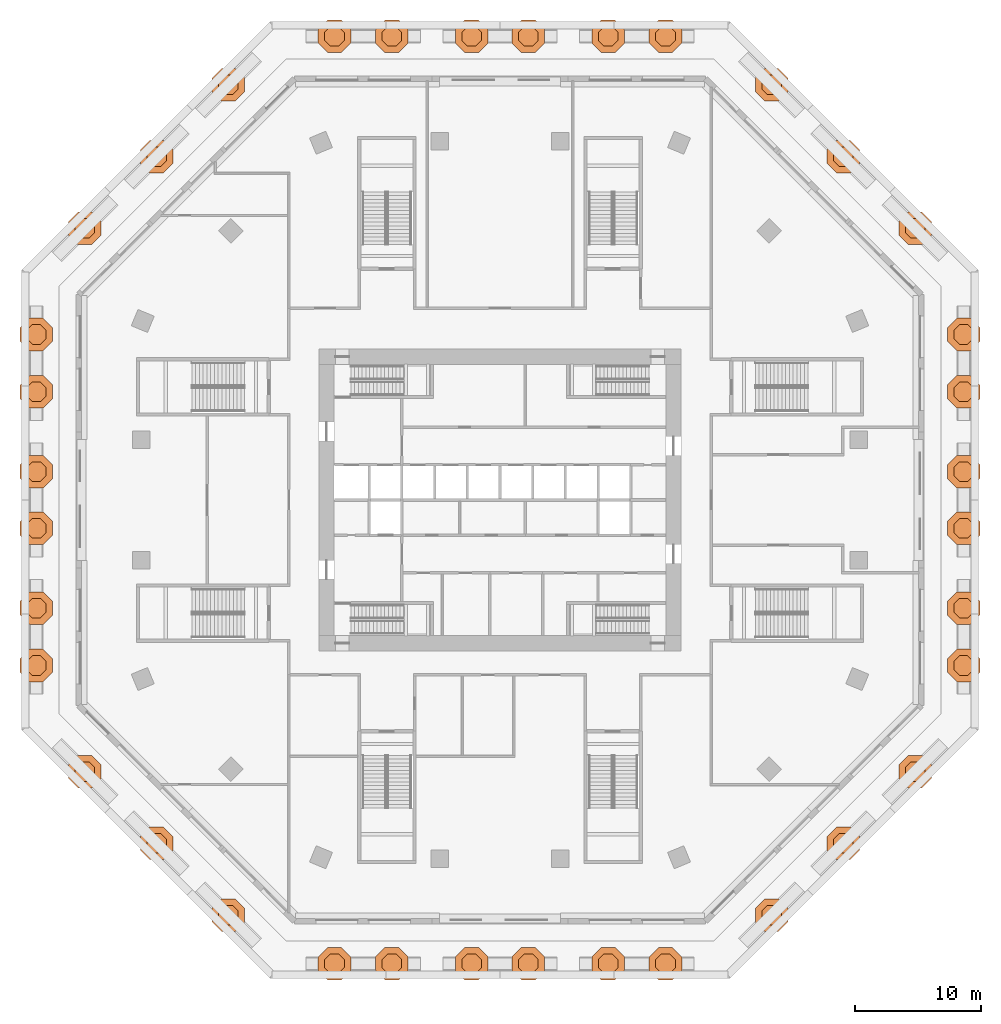
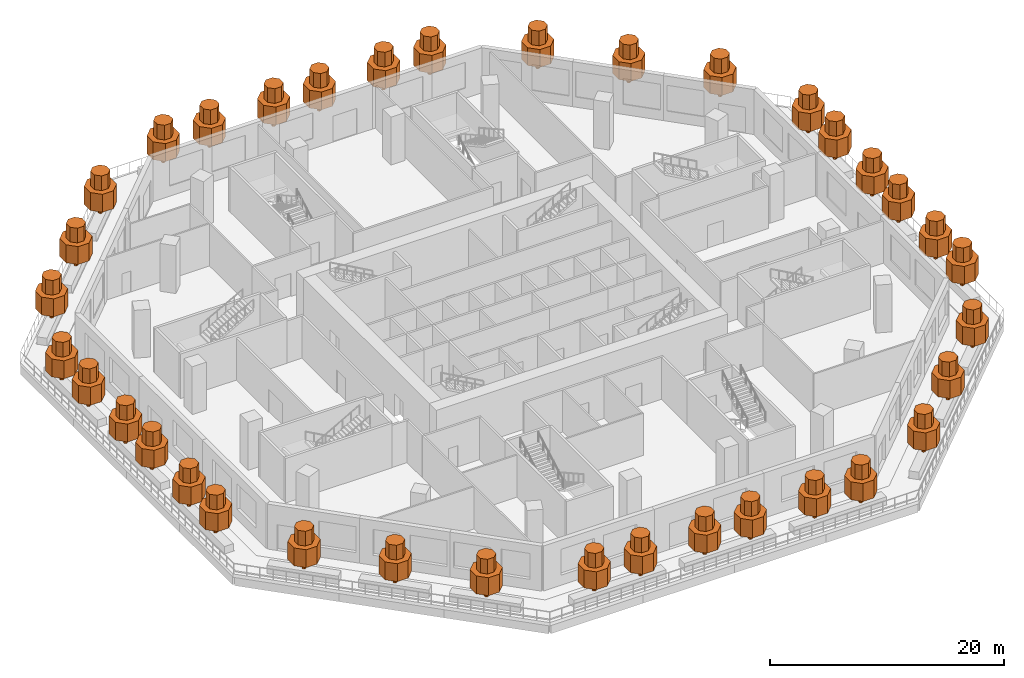
# One storey, part 13 of 13: 36 geographic elements.
"""IFC4 building model written with IfcOpenShell, lengths in metres."""

from ifc_helpers import new_model, si_unit, direction, frame, origin, place, context, subcontext, project, spatial, polyline, outline, extrude, material, type_object, element, save


model = new_model("IFC4")

# Units and contexts
model_context = context("Model", 3, precision=1e-05, world=origin(), true_north=direction((0.0, 1.0)))
body_context = subcontext(model_context, "Body", "Model", "MODEL_VIEW")
ifc_project = project(units=[si_unit("LENGTHUNIT", "METRE"), si_unit("AREAUNIT", "SQUARE_METRE"), si_unit("VOLUMEUNIT", "CUBIC_METRE"), si_unit("PLANEANGLEUNIT", "RADIAN"), si_unit("MASSUNIT", "GRAM", prefix="KILO")], contexts=[model_context])

# Site, building, storey
site_placement = place(None, origin())
site = spatial("IfcSite", under=ifc_project, at=site_placement, CompositionType="ELEMENT")
building_placement = place(site_placement, origin())
building = spatial("IfcBuilding", under=site, at=building_placement, Name="Msitu Wima Residences", CompositionType="ELEMENT")
storey_placement = place(building_placement, frame((0.0, 0.0, 16.0)))
storey = spatial("IfcBuildingStorey", under=building, at=storey_placement, Name="L03", CompositionType="ELEMENT", Elevation=16.0)

# Geographic elements
ifc_material = material(Name="Foliage and planting")
geographic_element_type = type_object("IfcGeographicElementType", Name="Tree TR1", PredefinedType="USERDEFINED", material=ifc_material)
for number, where, z_axis, x_axis, name in (
    (1, (36.89990234375, -13.173095703125, 0.89990234375), (0.0, 0.0, 1.0), (1.0, 0.0, 0.0), "Tree terrace L03-E01"),
    (2, (36.89990234375, -8.605224609375, 0.89990234375), (0.0, 0.0, 1.0), (1.0, 0.0, 0.0), "Tree terrace L03-E02"),
    (3, (36.89990234375, -2.2607421875, 0.89990234375), (0.0, 0.0, 1.0), (1.0, 0.0, 0.0), "Tree terrace L03-E11"),
    (4, (36.89990234375, 2.2607421875, 0.89990234375), (0.0, 0.0, 1.0), (1.0, 0.0, 0.0), "Tree terrace L03-E12"),
    (5, (36.89990234375, 8.605224609375, 0.89990234375), (0.0, 0.0, 1.0), (1.0, 0.0, 0.0), "Tree terrace L03-E21"),
    (6, (36.89990234375, 13.173095703125, 0.89990234375), (0.0, 0.0, 1.0), (1.0, 0.0, 0.0), "Tree terrace L03-E22"),
    (7, (33.039306640625, 21.615966796875, 0.89990234375), (0.0, 0.0, 1.0), (1.0, 0.0, 0.0), "Tree terrace L03-NE01"),
    (8, (27.32763671875, 27.32763671875, 0.89990234375), (0.0, 0.0, 1.0), (1.0, 0.0, 0.0), "Tree terrace L03-NE11"),
    (9, (21.615966796875, 33.039306640625, 0.89990234375), (0.0, 0.0, 1.0), (1.0, 0.0, 0.0), "Tree terrace L03-NE21"),
    (10, (13.173095703125, 36.89990234375, 0.89990234375), (0.0, 0.0, 1.0), (1.0, 0.0, 0.0), "Tree terrace L03-N01"),
    (11, (8.605224609375, 36.89990234375, 0.89990234375), (0.0, 0.0, 1.0), (1.0, 0.0, 0.0), "Tree terrace L03-N02"),
    (12, (2.2607421875, 36.89990234375, 0.89990234375), (0.0, 0.0, 1.0), (1.0, 0.0, 0.0), "Tree terrace L03-N11"),
    (13, (-2.2607421875, 36.89990234375, 0.89990234375), (0.0, 0.0, 1.0), (1.0, 0.0, 0.0), "Tree terrace L03-N12"),
    (14, (-8.605224609375, 36.89990234375, 0.89990234375), (0.0, 0.0, 1.0), (1.0, 0.0, 0.0), "Tree terrace L03-N21"),
    (15, (-13.173095703125, 36.89990234375, 0.89990234375), (0.0, 0.0, 1.0), (1.0, 0.0, 0.0), "Tree terrace L03-N22"),
    (16, (-21.615966796875, 33.039306640625, 0.89990234375), (0.0, 0.0, 1.0), (1.0, 0.0, 0.0), "Tree terrace L03-NW01"),
    (17, (-27.32763671875, 27.32763671875, 0.89990234375), (0.0, 0.0, 1.0), (1.0, 0.0, 0.0), "Tree terrace L03-NW11"),
    (18, (-33.039306640625, 21.615966796875, 0.89990234375), (0.0, 0.0, 1.0), (1.0, 0.0, 0.0), "Tree terrace L03-NW21"),
    (19, (-36.89990234375, 13.173095703125, 0.89990234375), (0.0, 0.0, 1.0), (1.0, 0.0, 0.0), "Tree terrace L03-W01"),
    (20, (-36.89990234375, 8.605224609375, 0.89990234375), (0.0, 0.0, 1.0), (1.0, 0.0, 0.0), "Tree terrace L03-W02"),
    (21, (-36.89990234375, 2.2607421875, 0.89990234375), (0.0, 0.0, 1.0), (1.0, 0.0, 0.0), "Tree terrace L03-W11"),
    (22, (-36.89990234375, -2.2607421875, 0.89990234375), (0.0, 0.0, 1.0), (1.0, 0.0, 0.0), "Tree terrace L03-W12"),
    (23, (-36.89990234375, -8.605224609375, 0.89990234375), (0.0, 0.0, 1.0), (1.0, 0.0, 0.0), "Tree terrace L03-W21"),
    (24, (-36.89990234375, -13.173095703125, 0.89990234375), (0.0, 0.0, 1.0), (1.0, 0.0, 0.0), "Tree terrace L03-W22"),
    (25, (-33.039306640625, -21.615966796875, 0.89990234375), (0.0, 0.0, 1.0), (1.0, 0.0, 0.0), "Tree terrace L03-SW01"),
    (26, (-27.32763671875, -27.32763671875, 0.89990234375), (0.0, 0.0, 1.0), (1.0, 0.0, 0.0), "Tree terrace L03-SW11"),
    (27, (-21.615966796875, -33.039306640625, 0.89990234375), (0.0, 0.0, 1.0), (1.0, 0.0, 0.0), "Tree terrace L03-SW21"),
    (28, (-13.173095703125, -36.89990234375, 0.89990234375), (0.0, 0.0, 1.0), (1.0, 0.0, 0.0), "Tree terrace L03-S01"),
    (29, (-8.605224609375, -36.89990234375, 0.89990234375), (0.0, 0.0, 1.0), (1.0, 0.0, 0.0), "Tree terrace L03-S02"),
    (30, (-2.2607421875, -36.89990234375, 0.89990234375), (0.0, 0.0, 1.0), (1.0, 0.0, 0.0), "Tree terrace L03-S11"),
    (31, (2.2607421875, -36.89990234375, 0.89990234375), (0.0, 0.0, 1.0), (1.0, 0.0, 0.0), "Tree terrace L03-S12"),
    (32, (8.605224609375, -36.89990234375, 0.89990234375), (0.0, 0.0, 1.0), (1.0, 0.0, 0.0), "Tree terrace L03-S21"),
    (33, (13.173095703125, -36.89990234375, 0.89990234375), (0.0, 0.0, 1.0), (1.0, 0.0, 0.0), "Tree terrace L03-S22"),
    (34, (21.615966796875, -33.039306640625, 0.89990234375), (0.0, 0.0, 1.0), (1.0, 0.0, 0.0), "Tree terrace L03-SE01"),
    (35, (27.32763671875, -27.32763671875, 0.89990234375), (0.0, 0.0, 1.0), (1.0, 0.0, 0.0), "Tree terrace L03-SE11"),
    (36, (33.039306640625, -21.615966796875, 0.89990234375), (0.0, 0.0, 1.0), (1.0, 0.0, 0.0), "Tree terrace L03-SE21"),
):
    element("IfcGeographicElement", number, at=place(storey_placement, frame(where, z_axis=z_axis, x_axis=x_axis)), inside=storey, type_object=geographic_element_type, Name=name, ObjectType="TREE", PredefinedType="USERDEFINED", context=body_context, shape_type="SweptSolid", body=[
        extrude(outline(polyline([(0.175048828125, 0.072509765625), (0.072509765625, 0.175048828125), (-0.072509765625, 0.175048828125), (-0.175048828125, 0.072509765625), (-0.175048828125, -0.072509765625), (-0.072509765625, -0.175048828125), (0.072509765625, -0.175048828125), (0.175048828125, -0.072509765625), (0.175048828125, 0.072509765625)])), origin(), (0.0, 0.0, 1.0), 1.10009765625),
        extrude(outline(polyline([(1.300048828125, 0.53857421875), (0.53857421875, 1.300048828125), (-0.53857421875, 1.300048828125), (-1.300048828125, 0.53857421875), (-1.300048828125, -0.53857421875), (-0.53857421875, -1.300048828125), (0.53857421875, -1.300048828125), (1.300048828125, -0.53857421875), (1.300048828125, 0.53857421875)])), frame((0.0, 0.0, 1.0)), (0.0, 0.0, 1.0), 1.8701171875),
        extrude(outline(polyline([(0.780029296875, 0.322998046875), (0.322998046875, 0.780029296875), (-0.322998046875, 0.780029296875), (-0.780029296875, 0.322998046875), (-0.780029296875, -0.322998046875), (-0.322998046875, -0.780029296875), (0.322998046875, -0.780029296875), (0.780029296875, -0.322998046875), (0.780029296875, 0.322998046875)])), frame((0.0, 0.0, 2.8701171875)), (0.0, 0.0, 1.0), 1.530029296875),
    ])

save(model, "model.ifc")
